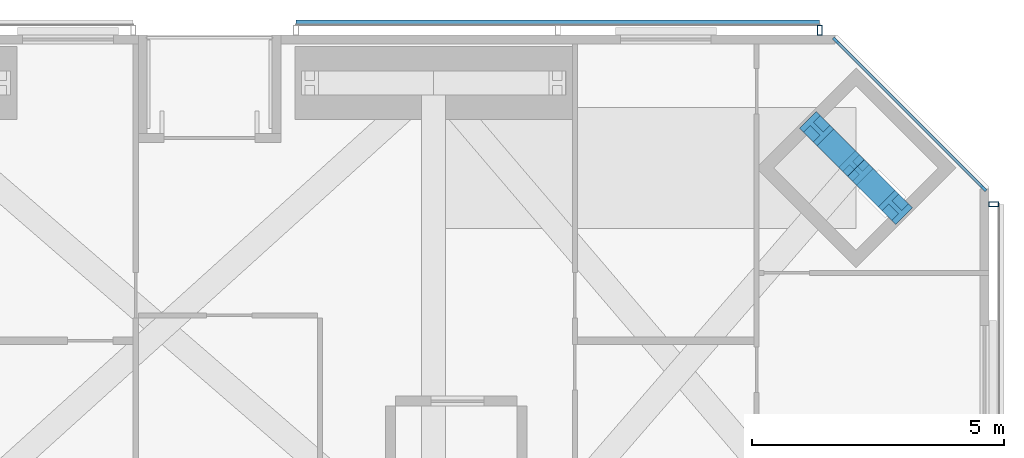
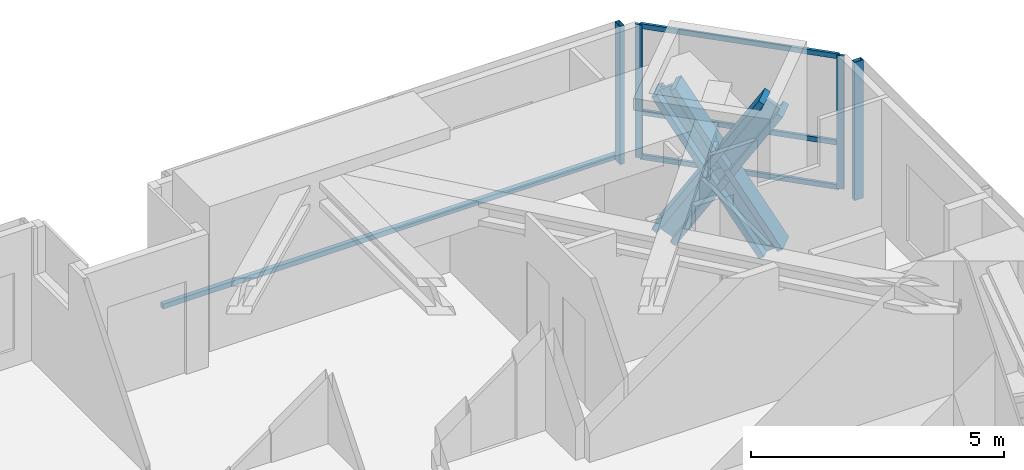
# One storey, part 13 of 22: 12 members, 3 elements without a shape of their own.
"""IFC4 building model written with IfcOpenShell, lengths in metres."""

from ifc_helpers import new_model, si_unit, direction, frame, origin, origin_2d, place, context, subcontext, project, spatial, rectangle, hollow_rectangle, i_section, extrude, material, material_profile, profile_set, type_object, element, aggregate, save


model = new_model("IFC4")

# Units and contexts
model_context = context("Model", 3, precision=1e-05, world=origin(), true_north=direction((0.0, 1.0)))
body_context = subcontext(model_context, "Body", "Model", "MODEL_VIEW")
ifc_project = project(units=[si_unit("LENGTHUNIT", "METRE"), si_unit("AREAUNIT", "SQUARE_METRE"), si_unit("VOLUMEUNIT", "CUBIC_METRE"), si_unit("PLANEANGLEUNIT", "RADIAN"), si_unit("MASSUNIT", "GRAM", prefix="KILO")], contexts=[model_context])

# Site, building, storey
site_placement = place(None, origin())
site = spatial("IfcSite", under=ifc_project, at=site_placement, CompositionType="ELEMENT")
building_placement = place(site_placement, origin())
building = spatial("IfcBuilding", under=site, at=building_placement, Name="Jalousie Tower", CompositionType="ELEMENT")
storey_placement = place(building_placement, frame((0.0, 0.0, 71.25)))
storey = spatial("IfcBuildingStorey", under=building, at=storey_placement, Name="L19", CompositionType="ELEMENT", Elevation=71.25)

# Curtain wall, members
ifc_material_1 = material(Name="Aluminium curtain wall", Category="aluminium")
curtain_wall_type_1 = type_object("IfcCurtainWallType", Name="CORNER WINDOW WALL", PredefinedType="USERDEFINED", material=ifc_material_1)
curtain_wall_1_placement = place(storey_placement, origin())
curtain_wall_1 = element("IfcCurtainWall", 1, at=curtain_wall_1_placement, inside=storey, type_object=curtain_wall_type_1, Name="Corner Window Wall L19 4", ObjectType="CORNER WINDOW WALL", PredefinedType="USERDEFINED")
ifc_material_2 = material(Name="Aluminium mullion", Category="aluminium")
ifc_material_profile_1 = material_profile(ifc_material_2, rectangle(XDim=0.06005859375, YDim=0.14990234375, at=origin_2d()), Name="MULLION 60x150")
ifc_profile_set_1 = profile_set([ifc_material_profile_1], Name="Aluminium mullion")
member_type_1 = type_object("IfcMemberType", Name="CORNER WINDOW WALL MULLION", PredefinedType="MULLION", material=ifc_profile_set_1)
member_1_placement = place(storey_placement, frame((45.891357421875, 34.969970703125, 0.0), z_axis=(0.0, 0.0, 1.0), x_axis=(-0.707106781187, -0.707106781187, 0.0)))
member_1 = element("IfcMember", 2, at=member_1_placement, type_object=member_type_1, Name="CW-C mullion 1", PredefinedType="MULLION", context=body_context, shape_type="SweptSolid", body=[
    extrude(rectangle(XDim=0.06005859375, YDim=0.14990234375, at=origin_2d()), origin(), (0.0, 0.0, 1.0), 3.219970703125),
])
member_2_placement = place(storey_placement, frame((42.969970703125, 37.891357421875, 0.0), z_axis=(0.0, 0.0, 1.0), x_axis=(-0.707106781187, -0.707106781187, 0.0)))
member_2 = element("IfcMember", 3, at=member_2_placement, type_object=member_type_1, Name="CW-C mullion 2", PredefinedType="MULLION", context=body_context, shape_type="SweptSolid", body=[
    extrude(rectangle(XDim=0.06005859375, YDim=0.14990234375, at=origin_2d()), origin(), (0.0, 0.0, 1.0), 3.219970703125),
])
ifc_material_3 = material(Name="Aluminium transom", Category="aluminium")
ifc_material_profile_2 = material_profile(ifc_material_3, rectangle(XDim=0.06005859375, YDim=0.1201171875, at=origin_2d()), Name="TRANSOM 60x120")
ifc_profile_set_2 = profile_set([ifc_material_profile_2], Name="Aluminium transom")
member_type_2 = type_object("IfcMemberType", Name="CORNER WINDOW WALL TRANSOM", PredefinedType="USERDEFINED", material=ifc_profile_set_2)
member_3_placement = place(storey_placement, frame((45.8701171875, 34.9912109375, 0.030029296875), z_axis=(-0.707106781187, 0.707106781187, 0.0), x_axis=(-0.707106781187, -0.707106781187, 0.0)))
member_3 = element("IfcMember", 4, at=member_3_placement, type_object=member_type_2, Name="CW-C transom 1.1", ObjectType="TRANSOM", PredefinedType="USERDEFINED", context=body_context, shape_type="SweptSolid", body=[
    extrude(rectangle(XDim=0.06005859375, YDim=0.1201171875, at=origin_2d()), origin(), (0.0, 0.0, 1.0), 4.0712890625),
])
member_4_placement = place(storey_placement, frame((45.8701171875, 34.9912109375, 1.10009765625), z_axis=(-0.707106781187, 0.707106781187, 0.0), x_axis=(-0.707106781187, -0.707106781187, 0.0)))
member_4 = element("IfcMember", 5, at=member_4_placement, type_object=member_type_2, Name="CW-C transom 1.2", ObjectType="TRANSOM", PredefinedType="USERDEFINED", context=body_context, shape_type="SweptSolid", body=[
    extrude(rectangle(XDim=0.06005859375, YDim=0.1201171875, at=origin_2d()), origin(), (0.0, 0.0, 1.0), 4.0712890625),
])
member_5_placement = place(storey_placement, frame((45.8701171875, 34.9912109375, 3.18994140625), z_axis=(-0.707106781187, 0.707106781187, 0.0), x_axis=(-0.707106781187, -0.707106781187, 0.0)))
member_5 = element("IfcMember", 6, at=member_5_placement, type_object=member_type_2, Name="CW-C transom 1.3", ObjectType="TRANSOM", PredefinedType="USERDEFINED", context=body_context, shape_type="SweptSolid", body=[
    extrude(rectangle(XDim=0.06005859375, YDim=0.1201171875, at=origin_2d()), origin(), (0.0, 0.0, 1.0), 4.0712890625),
])
aggregate(curtain_wall_1, [member_1, member_2, member_3, member_4, member_5])

# Members
ifc_material_4 = material(Name="Steel ASTM A992 Grade 50", Category="steel")
ifc_material_profile_3 = material_profile(ifc_material_4, i_section(OverallWidth=0.472412109375, OverallDepth=0.5791015625, WebThickness=0.094970703125, FlangeThickness=0.1298828125, at=origin_2d()), Name="W14X808")
ifc_profile_set_3 = profile_set([ifc_material_profile_3], Name="Steel ASTM A992 Grade 50")
member_type_3 = type_object("IfcMemberType", Name="PERIMETER BRACE W14X808", PredefinedType="BRACE", material=ifc_profile_set_3)
for number, where, z_axis, x_axis, name in (
    (7, (44.146484375, 34.5908203125, -0.60009765625), (-0.376307161585, 0.376307161585, 0.846632057201), (-0.707106781187, -0.707106781187, 0.0), "Perimeter brace 08 L19 part 1"),
    (8, (43.36865234375, 35.36865234375, 1.14990234375), (-0.376307161585, 0.376307161585, 0.846632057201), (-0.707106781187, -0.707106781187, 0.0), "Perimeter brace 08 L19 part 2"),
    (9, (42.5908203125, 36.146484375, -0.60009765625), (0.376307161585, -0.376307161585, 0.846632057201), (0.707106781187, 0.707106781187, 0.0), "Perimeter brace 08 L19 part 3"),
    (10, (43.36865234375, 35.36865234375, 1.14990234375), (0.376307161585, -0.376307161585, 0.846632057201), (0.707106781187, 0.707106781187, 0.0), "Perimeter brace 08 L19 part 4"),
):
    element("IfcMember", number, at=place(storey_placement, frame(where, z_axis=z_axis, x_axis=x_axis)), inside=storey, type_object=member_type_3, Name=name, PredefinedType="BRACE", context=body_context, shape_type="SweptSolid", body=[
        extrude(i_section(OverallWidth=0.472412109375, OverallDepth=0.5791015625, WebThickness=0.094970703125, FlangeThickness=0.1298828125, at=origin_2d()), origin(), (0.0, 0.0, 1.0), 2.06689453125),
    ])

# Curtain wall, member
ifc_material_5 = material(Name="Perforated aluminium sheet", Category="aluminium")
curtain_wall_type_2 = type_object("IfcCurtainWallType", Name="SOLAR SCREEN SS-2", PredefinedType="USERDEFINED", material=ifc_material_5)
curtain_wall_2_placement = place(storey_placement, origin())
curtain_wall_2 = element("IfcCurtainWall", 11, at=curtain_wall_2_placement, inside=storey, type_object=curtain_wall_type_2, Name="Solar screen L19", ObjectType="SOLAR SCREEN SS-2", PredefinedType="USERDEFINED")
ifc_material_6 = material(Name="Steel ASTM A500 Grade C", Category="steel")
ifc_material_profile_4 = material_profile(ifc_material_6, hollow_rectangle(XDim=0.1015625, YDim=0.203125, WallThickness=0.0078125, at=origin_2d()), Name="HSS8X4X5/16")
ifc_profile_set_4 = profile_set([ifc_material_profile_4], Name="Steel ASTM A500 Grade C")
member_type_4 = type_object("IfcMemberType", Name="SOLAR SCREEN SS-2 MULLION", PredefinedType="MULLION", material=ifc_profile_set_4)
member_6_placement = place(storey_placement, frame((46.0966796875, 34.648681640625, -0.1201171875), z_axis=(0.0, 0.0, 1.0), x_axis=(0.0, 1.0, 0.0)))
member_6 = element("IfcMember", 12, at=member_6_placement, type_object=member_type_4, Name="SS2 post 4", PredefinedType="MULLION", context=body_context, shape_type="SweptSolid", body=[
    extrude(hollow_rectangle(XDim=0.1015625, YDim=0.203125, WallThickness=0.0078125, at=origin_2d()), origin(), (0.0, 0.0, 1.0), 3.340087890625),
])
aggregate(curtain_wall_2, [member_6])

# Curtain wall, members
curtain_wall_3_placement = place(storey_placement, origin())
curtain_wall_3 = element("IfcCurtainWall", 13, at=curtain_wall_3_placement, inside=storey, type_object=curtain_wall_type_2, Name="Solar screen L19", ObjectType="SOLAR SCREEN SS-2", PredefinedType="USERDEFINED")
member_7_placement = place(storey_placement, frame((42.648681640625, 38.0966796875, -0.1201171875), z_axis=(0.0, 0.0, 1.0), x_axis=(-1.0, 0.0, 0.0)))
member_7 = element("IfcMember", 14, at=member_7_placement, type_object=member_type_4, Name="SS2 post 1", PredefinedType="MULLION", context=body_context, shape_type="SweptSolid", body=[
    extrude(hollow_rectangle(XDim=0.1015625, YDim=0.203125, WallThickness=0.0078125, at=origin_2d()), origin(), (0.0, 0.0, 1.0), 3.340087890625),
])
ifc_material_7 = material(Name="Extruded aluminium screen rail", Category="aluminium")
ifc_material_profile_5 = material_profile(ifc_material_7, rectangle(XDim=0.1015625, YDim=0.1201171875, at=origin_2d()), Name="RAIL 102x120")
ifc_profile_set_5 = profile_set([ifc_material_profile_5], Name="Extruded aluminium screen rail")
member_type_5 = type_object("IfcMemberType", Name="SOLAR SCREEN SS-2 TRANSOM", PredefinedType="USERDEFINED", material=ifc_profile_set_5)
member_8_placement = place(storey_placement, frame((42.648681640625, 38.2490234375, -0.06005859375), z_axis=(-1.0, 0.0, 0.0), x_axis=(0.0, -1.0, 0.0)))
member_8 = element("IfcMember", 15, at=member_8_placement, type_object=member_type_5, Name="SS2 rail", ObjectType="TRANSOM", PredefinedType="USERDEFINED", context=body_context, shape_type="SweptSolid", body=[
    extrude(rectangle(XDim=0.1015625, YDim=0.1201171875, at=origin_2d()), origin(), (0.0, 0.0, 1.0), 10.373779296875),
])
aggregate(curtain_wall_3, [member_7, member_8])

save(model, "model.ifc")
